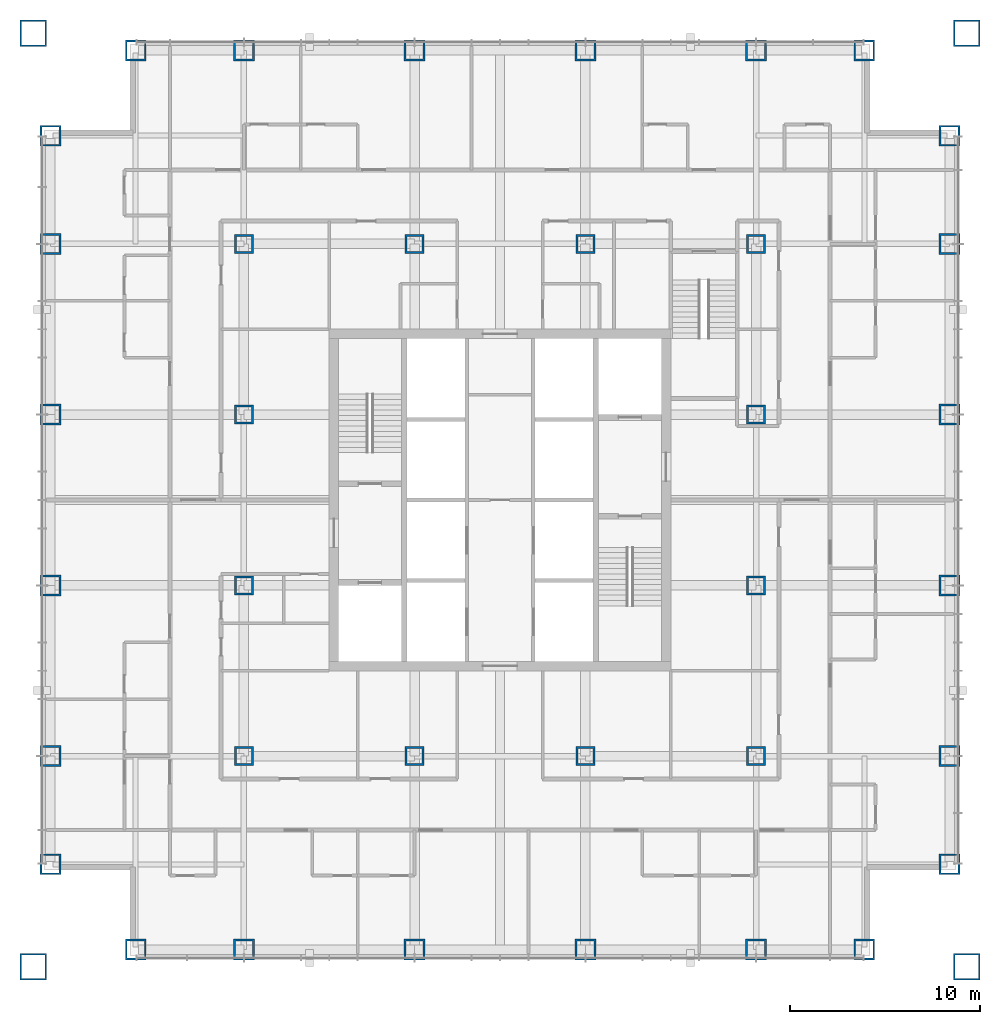
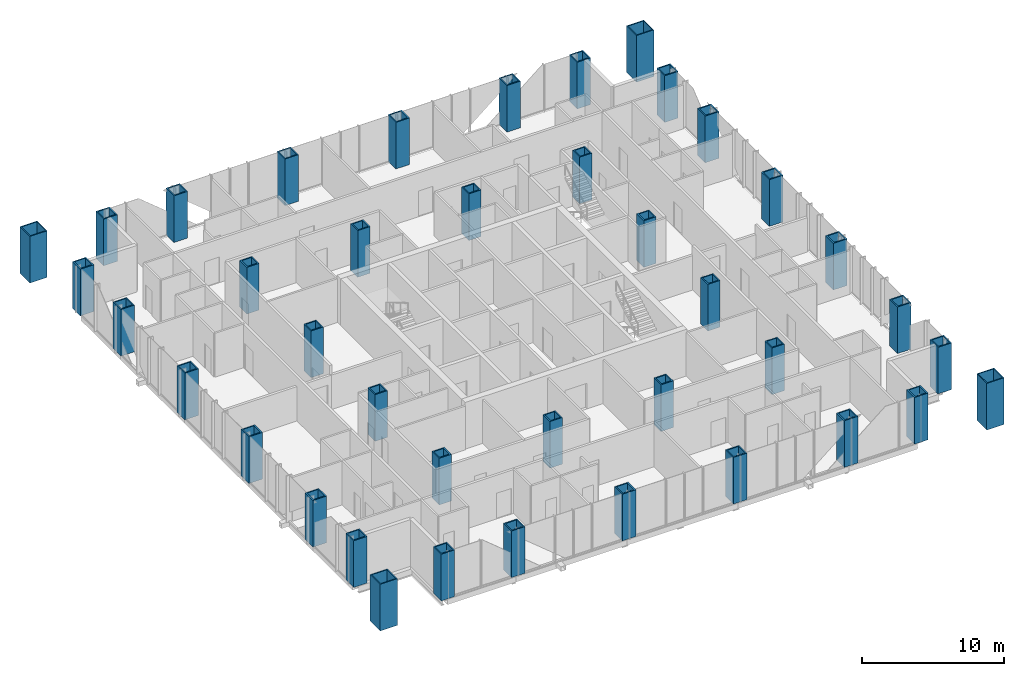
# One storey, part 1 of 14: 40 columns.
"""IFC4 building model written with IfcOpenShell, lengths in metres."""

import ifcopenshell
import ifcopenshell.guid

model = None  # the IFC model being written
_history = None  # IfcOwnerHistory: only IFC2X3 demands one
_inside = {}  # id of a spatial element -> (the spatial element, [elements in it])
_under = {}  # id of a project, library or spatial element -> (it, [spatial elements below it])
_declared = {}  # id of a project -> (the project, [libraries it declares])
_typed = {}  # id of a type object -> (the type object, [elements of that type])
_made_of = {}  # id of a material, layer set ... -> (it, [elements and type objects made of it])


def new_model(schema):
    """Start an empty IFC model of exactly this schema.

    Asked for "IFC4X3", IfcOpenShell would pick the latest addendum, in which some entities
    have other attributes; the version numbers below select the first issue.
    IFC2X3 requires an IfcOwnerHistory on every rooted entity: one is made here for all.
    """
    global model, _history
    if schema == "IFC4X3":
        model = ifcopenshell.file(schema_version=(4, 3, 0, 0))
    else:
        model = ifcopenshell.file(schema=schema)
    _inside.clear()
    _under.clear()
    _declared.clear()
    _typed.clear()
    _made_of.clear()
    _history = None
    if model.schema == "IFC2X3":
        org = make("IfcOrganization", Name="unknown")
        user = make(
            "IfcPersonAndOrganization",
            ThePerson=make("IfcPerson", FamilyName="unknown"),
            TheOrganization=org,
        )
        app = make(
            "IfcApplication",
            ApplicationDeveloper=org,
            Version="unknown",
            ApplicationFullName="unknown",
            ApplicationIdentifier="unknown",
        )
        _history = make(
            "IfcOwnerHistory",
            OwningUser=user,
            OwningApplication=app,
            ChangeAction="ADDED",
            CreationDate=0,
        )
    return model


def make(cls, **values):
    """One entity of the class cls with the attributes given. An attribute that is None is left unset."""
    return model.create_entity(
        cls, **{name: value for name, value in values.items() if value is not None}
    )


def rooted(cls, **values):
    """An entity with a GlobalId (a new one), such as an element, a storey or a relation."""
    return make(cls, GlobalId=ifcopenshell.guid.new(), OwnerHistory=_history, **values)


def si_unit(unit_type, name, prefix=None):
    """IfcSIUnit, for example si_unit("LENGTHUNIT", "METRE", prefix="MILLI")."""
    return make("IfcSIUnit", UnitType=unit_type, Prefix=prefix, Name=name)


def assignment(units):
    """IfcUnitAssignment: the units of a project."""
    return None if units is None else make("IfcUnitAssignment", Units=units)


def point(xyz):
    """IfcCartesianPoint."""
    return None if xyz is None else make("IfcCartesianPoint", Coordinates=xyz)


def direction(xyz):
    """IfcDirection."""
    return None if xyz is None else make("IfcDirection", DirectionRatios=xyz)


def frame(location, z_axis=None, x_axis=None):
    """IfcAxis2Placement3D, a coordinate frame: its origin and axes. An axis left out is left unset."""
    return make(
        "IfcAxis2Placement3D",
        Location=point(location),
        Axis=direction(z_axis),
        RefDirection=direction(x_axis),
    )


def frame_2d(location, x_axis=None):
    """IfcAxis2Placement2D, a coordinate frame in the plane: its origin and x axis."""
    return make(
        "IfcAxis2Placement2D", Location=point(location), RefDirection=direction(x_axis)
    )


def origin():
    """The frame at (0, 0, 0) with its axes left unset."""
    return frame((0.0, 0.0, 0.0))


def origin_2d():
    """The frame at (0, 0) in the plane with its x axis left unset."""
    return frame_2d((0.0, 0.0))


def place(relative_to, where):
    """IfcLocalPlacement: puts the frame where relative to a parent placement (None: the world)."""
    return make(
        "IfcLocalPlacement", PlacementRelTo=relative_to, RelativePlacement=where
    )


def context(
    kind, dimensions, precision=None, world=None, true_north=None, identifier=None
):
    """IfcGeometricRepresentationContext, for example the 3D "Model" context."""
    return make(
        "IfcGeometricRepresentationContext",
        ContextIdentifier=identifier,
        ContextType=kind,
        CoordinateSpaceDimension=dimensions,
        Precision=precision,
        WorldCoordinateSystem=world,
        TrueNorth=true_north,
    )


def subcontext(parent, identifier, kind, view, scale=None):
    """IfcGeometricRepresentationSubContext, for example "Body" below "Model"."""
    return make(
        "IfcGeometricRepresentationSubContext",
        ContextIdentifier=identifier,
        ContextType=kind,
        ParentContext=parent,
        TargetScale=scale,
        TargetView=view,
    )


def project(units=None, contexts=None):
    """IfcProject with its units and contexts."""
    return rooted(
        "IfcProject",
        Name="project",
        RepresentationContexts=contexts,
        UnitsInContext=assignment(units),
    )


def spatial(cls, under=None, at=None, **own):
    """A site, building, storey or space (cls), placed at a placement, below another one or the project."""
    s = rooted(cls, ObjectPlacement=at, **own)
    if under is not None:
        _under.setdefault(under.id(), (under, []))[1].append(s)
    return s


def profile(cls, at=None, kind="AREA", **sizes):
    """A parametric profile (cls). Its sizes go by their IFC names, for example OverallWidth=200.0."""
    return make(cls, ProfileType=kind, Position=at, **sizes)


def hollow_rectangle(**sizes):
    """IfcRectangleHollowProfileDef."""
    return profile("IfcRectangleHollowProfileDef", **sizes)


def extrude(swept, where, along, depth):
    """IfcExtrudedAreaSolid: the profile swept, set in the frame where, extruded along a direction by depth."""
    return make(
        "IfcExtrudedAreaSolid",
        SweptArea=swept,
        Position=where,
        ExtrudedDirection=direction(along),
        Depth=depth,
    )


def shape(context_of_items, identifier, shape_type, items):
    """IfcShapeRepresentation: the items that make up one representation, for example the "Body"."""
    return make(
        "IfcShapeRepresentation",
        ContextOfItems=context_of_items,
        RepresentationIdentifier=identifier,
        RepresentationType=shape_type,
        Items=items,
    )


def material(Name=None, Category=None):
    """IfcMaterial."""
    return make("IfcMaterial", Name=Name, Category=Category)


def material_profile(
    of_material, cross_section, Name=None, Category=None, Priority=None
):
    """IfcMaterialProfile: a cross section and its material."""
    return make(
        "IfcMaterialProfile",
        Name=Name,
        Material=of_material,
        Profile=cross_section,
        Priority=Priority,
        Category=Category,
    )


def profile_set(profiles, Name=None, composite=None):
    """IfcMaterialProfileSet."""
    return make(
        "IfcMaterialProfileSet",
        Name=Name,
        MaterialProfiles=profiles,
        CompositeProfile=composite,
    )


def made_of(thing, what):
    """Note that an element or type object is made of a material, layer set ...; save() writes the relation."""
    if what is not None:
        _made_of.setdefault(what.id(), (what, []))[1].append(thing)
    return thing


def type_object(cls, material=None, **own):
    """A type object (cls), such as IfcWallType, which elements share."""
    return made_of(rooted(cls, **own), material)


def element(
    cls,
    number,
    at=None,
    inside=None,
    cuts=None,
    type_object=None,
    material=None,
    context=None,
    identifier="Body",
    shape_type=None,
    held_by="IfcProductDefinitionShape",
    body=None,
    shapes=None,
    **own,
):
    """One element of the class cls, such as IfcWall. Its Tag is "e" and its number.

    at: its placement. inside: the storey or other place that contains it. cuts: it is an
    opening in that element (IfcRelVoidsElement). A single representation is given by context,
    identifier, shape_type and body (its items); several are given by shapes. held_by: the class
    of the entity that holds the representations. save() writes the other relations.
    """
    e = rooted(cls, Tag="e%d" % number, ObjectPlacement=at, **own)
    if body is not None:
        shapes = [shape(context, identifier, shape_type, body)]
    if shapes is not None:
        e.Representation = make(held_by, Representations=shapes)
    if inside is not None:
        _inside.setdefault(inside.id(), (inside, []))[1].append(e)
    if cuts is not None:
        rooted(
            "IfcRelVoidsElement", RelatingBuildingElement=cuts, RelatedOpeningElement=e
        )
    if type_object is not None:
        _typed.setdefault(type_object.id(), (type_object, []))[1].append(e)
    return made_of(e, material)


def aggregate(whole, parts):
    """IfcRelAggregates: a whole, such as a stair, and the parts it consists of."""
    return rooted("IfcRelAggregates", RelatingObject=whole, RelatedObjects=parts)


def save(model, path):
    """Write the relations noted so far, then the file.

    IfcRelAggregates (storeys below a building ...), IfcRelContainedInSpatialStructure (elements
    in a storey), IfcRelDefinesByType, IfcRelAssociatesMaterial and IfcRelDeclares: one each for
    every whole, place, type object, material and project.
    """
    for whole, parts in _under.values():
        aggregate(whole, parts)
    for where, things in _inside.values():
        rooted(
            "IfcRelContainedInSpatialStructure",
            RelatedElements=things,
            RelatingStructure=where,
        )
    for kind, things in _typed.values():
        rooted("IfcRelDefinesByType", RelatedObjects=things, RelatingType=kind)
    for what, things in _made_of.values():
        rooted("IfcRelAssociatesMaterial", RelatedObjects=things, RelatingMaterial=what)
    for by, libraries in _declared.values():
        rooted("IfcRelDeclares", RelatingContext=by, RelatedDefinitions=libraries)
    model.write(path)


model = new_model("IFC4")

# Units and contexts
model_context = context("Model", 3, precision=1e-05, world=origin(), true_north=direction((0.0, 1.0)))
body_context = subcontext(model_context, "Body", "Model", "MODEL_VIEW")
ifc_project = project(units=[si_unit("LENGTHUNIT", "METRE"), si_unit("AREAUNIT", "SQUARE_METRE"), si_unit("VOLUMEUNIT", "CUBIC_METRE"), si_unit("PLANEANGLEUNIT", "RADIAN"), si_unit("MASSUNIT", "GRAM", prefix="KILO")], contexts=[model_context])

# Site, building, storey
site_placement = place(None, origin())
site = spatial("IfcSite", under=ifc_project, at=site_placement, CompositionType="ELEMENT")
building_placement = place(site_placement, origin())
building = spatial("IfcBuilding", under=site, at=building_placement, Name="Malebo Sky Hospital", CompositionType="ELEMENT")
storey_placement = place(building_placement, frame((0.0, 0.0, 128.0)))
storey = spatial("IfcBuildingStorey", under=building, at=storey_placement, Name="L30", CompositionType="ELEMENT", Elevation=128.0)

# Columns
ifc_material = material(Name="Steel S460", Category="steel")
ifc_material_profile_1 = material_profile(ifc_material, hollow_rectangle(XDim=1.0, YDim=1.0, WallThickness=0.10009765625, at=origin_2d()), Name="BOX 1000x1000x100")
ifc_profile_set_1 = profile_set([ifc_material_profile_1], Name="Steel S460")
column_type_1 = type_object("IfcColumnType", Name="INNER COLUMN BOX 1000x1000x100", PredefinedType="COLUMN", material=ifc_profile_set_1)
for number, where, z_axis, x_axis, name in (
    (1, (46.5, 48.5, 0.0), (0.0, 0.0, 1.0), (1.0, 0.0, 0.0), "Column IC9 L30"),
    (2, (73.5, 48.5, 0.0), (0.0, 0.0, 1.0), (1.0, 0.0, 0.0), "Column IC9 L30"),
    (3, (73.5, 75.5, 0.0), (0.0, 0.0, 1.0), (1.0, 0.0, 0.0), "Column IC9 L30"),
    (4, (46.5, 75.5, 0.0), (0.0, 0.0, 1.0), (1.0, 0.0, 0.0), "Column IC9 L30"),
    (5, (55.5, 48.5, 0.0), (0.0, 0.0, 1.0), (1.0, 0.0, 0.0), "Column IC9 L30"),
    (6, (64.5, 48.5, 0.0), (0.0, 0.0, 1.0), (1.0, 0.0, 0.0), "Column IC9 L30"),
    (7, (55.5, 75.5, 0.0), (0.0, 0.0, 1.0), (1.0, 0.0, 0.0), "Column IC9 L30"),
    (8, (64.5, 75.5, 0.0), (0.0, 0.0, 1.0), (1.0, 0.0, 0.0), "Column IC9 L30"),
    (9, (46.5, 57.5, 0.0), (0.0, 0.0, 1.0), (1.0, 0.0, 0.0), "Column IC9 L30"),
    (10, (46.5, 66.5, 0.0), (0.0, 0.0, 1.0), (1.0, 0.0, 0.0), "Column IC9 L30"),
    (11, (73.5, 57.5, 0.0), (0.0, 0.0, 1.0), (1.0, 0.0, 0.0), "Column IC9 L30"),
    (12, (73.5, 66.5, 0.0), (0.0, 0.0, 1.0), (1.0, 0.0, 0.0), "Column IC9 L30"),
):
    element("IfcColumn", number, at=place(storey_placement, frame(where, z_axis=z_axis, x_axis=x_axis)), inside=storey, type_object=column_type_1, Name=name, PredefinedType="COLUMN", context=body_context, shape_type="SweptSolid", body=[
        extrude(hollow_rectangle(XDim=1.0, YDim=1.0, WallThickness=0.10009765625, at=origin_2d()), origin(), (0.0, 0.0, 1.0), 4.0),
    ])
ifc_material_profile_2 = material_profile(ifc_material, hollow_rectangle(XDim=1.39990234375, YDim=1.39990234375, WallThickness=0.080078125, at=origin_2d()), Name="BOX 1400x1400x80")
ifc_profile_set_2 = profile_set([ifc_material_profile_2], Name="Steel S460")
column_type_2 = type_object("IfcColumnType", Name="MEGA COLUMN BOX 1400x1400x80", PredefinedType="COLUMN", material=ifc_profile_set_2)
for number, where, z_axis, x_axis, name in (
    (13, (35.39990234375, 37.39990234375, 0.0), (0.0, 0.0, 1.0), (1.0, 0.0, 0.0), "Mega column SW L30"),
    (14, (84.60009765625, 37.39990234375, 0.0), (0.0, 0.0, 1.0), (1.0, 0.0, 0.0), "Mega column SE L30"),
    (15, (84.60009765625, 86.60009765625, 0.0), (0.0, 0.0, 1.0), (1.0, 0.0, 0.0), "Mega column NE L30"),
    (16, (35.39990234375, 86.60009765625, 0.0), (0.0, 0.0, 1.0), (1.0, 0.0, 0.0), "Mega column NW L30"),
):
    element("IfcColumn", number, at=place(storey_placement, frame(where, z_axis=z_axis, x_axis=x_axis)), inside=storey, type_object=column_type_2, Name=name, PredefinedType="COLUMN", context=body_context, shape_type="SweptSolid", body=[
        extrude(hollow_rectangle(XDim=1.39990234375, YDim=1.39990234375, WallThickness=0.080078125, at=origin_2d()), origin(), (0.0, 0.0, 1.0), 4.0),
    ])
ifc_material_profile_3 = material_profile(ifc_material, hollow_rectangle(XDim=1.10009765625, YDim=1.10009765625, WallThickness=0.10009765625, at=origin_2d()), Name="BOX 1100x1100x100")
ifc_profile_set_3 = profile_set([ifc_material_profile_3], Name="Steel S460")
column_type_3 = type_object("IfcColumnType", Name="PERIMETER COLUMN BOX 1100x1100x100", PredefinedType="COLUMN", material=ifc_profile_set_3)
for number, where, z_axis, x_axis, name in (
    (17, (40.800048828125, 38.300048828125, 0.0), (0.0, 0.0, 1.0), (1.0, 0.0, 0.0), "Column PC10 L30"),
    (18, (40.800048828125, 85.699951171875, 0.0), (0.0, 0.0, 1.0), (1.0, 0.0, 0.0), "Column PC10 L30"),
    (19, (36.300048828125, 42.800048828125, 0.0), (0.0, 0.0, 1.0), (1.0, 0.0, 0.0), "Column PC10 L30"),
    (20, (83.699951171875, 42.800048828125, 0.0), (0.0, 0.0, 1.0), (1.0, 0.0, 0.0), "Column PC10 L30"),
    (21, (46.5, 38.300048828125, 0.0), (0.0, 0.0, 1.0), (1.0, 0.0, 0.0), "Column PC10 L30"),
    (22, (46.5, 85.699951171875, 0.0), (0.0, 0.0, 1.0), (1.0, 0.0, 0.0), "Column PC10 L30"),
    (23, (36.300048828125, 48.5, 0.0), (0.0, 0.0, 1.0), (1.0, 0.0, 0.0), "Column PC10 L30"),
    (24, (83.699951171875, 48.5, 0.0), (0.0, 0.0, 1.0), (1.0, 0.0, 0.0), "Column PC10 L30"),
    (25, (55.5, 38.300048828125, 0.0), (0.0, 0.0, 1.0), (1.0, 0.0, 0.0), "Column PC10 L30"),
    (26, (55.5, 85.699951171875, 0.0), (0.0, 0.0, 1.0), (1.0, 0.0, 0.0), "Column PC10 L30"),
    (27, (36.300048828125, 57.5, 0.0), (0.0, 0.0, 1.0), (1.0, 0.0, 0.0), "Column PC10 L30"),
    (28, (83.699951171875, 57.5, 0.0), (0.0, 0.0, 1.0), (1.0, 0.0, 0.0), "Column PC10 L30"),
    (29, (64.5, 38.300048828125, 0.0), (0.0, 0.0, 1.0), (1.0, 0.0, 0.0), "Column PC10 L30"),
    (30, (64.5, 85.699951171875, 0.0), (0.0, 0.0, 1.0), (1.0, 0.0, 0.0), "Column PC10 L30"),
    (31, (36.300048828125, 66.5, 0.0), (0.0, 0.0, 1.0), (1.0, 0.0, 0.0), "Column PC10 L30"),
    (32, (83.699951171875, 66.5, 0.0), (0.0, 0.0, 1.0), (1.0, 0.0, 0.0), "Column PC10 L30"),
    (33, (73.5, 38.300048828125, 0.0), (0.0, 0.0, 1.0), (1.0, 0.0, 0.0), "Column PC10 L30"),
    (34, (73.5, 85.699951171875, 0.0), (0.0, 0.0, 1.0), (1.0, 0.0, 0.0), "Column PC10 L30"),
    (35, (36.300048828125, 75.5, 0.0), (0.0, 0.0, 1.0), (1.0, 0.0, 0.0), "Column PC10 L30"),
    (36, (83.699951171875, 75.5, 0.0), (0.0, 0.0, 1.0), (1.0, 0.0, 0.0), "Column PC10 L30"),
    (37, (79.199951171875, 38.300048828125, 0.0), (0.0, 0.0, 1.0), (1.0, 0.0, 0.0), "Column PC10 L30"),
    (38, (79.199951171875, 85.699951171875, 0.0), (0.0, 0.0, 1.0), (1.0, 0.0, 0.0), "Column PC10 L30"),
    (39, (36.300048828125, 81.199951171875, 0.0), (0.0, 0.0, 1.0), (1.0, 0.0, 0.0), "Column PC10 L30"),
    (40, (83.699951171875, 81.199951171875, 0.0), (0.0, 0.0, 1.0), (1.0, 0.0, 0.0), "Column PC10 L30"),
):
    element("IfcColumn", number, at=place(storey_placement, frame(where, z_axis=z_axis, x_axis=x_axis)), inside=storey, type_object=column_type_3, Name=name, PredefinedType="COLUMN", context=body_context, shape_type="SweptSolid", body=[
        extrude(hollow_rectangle(XDim=1.10009765625, YDim=1.10009765625, WallThickness=0.10009765625, at=origin_2d()), origin(), (0.0, 0.0, 1.0), 4.0),
    ])

save(model, "model.ifc")
